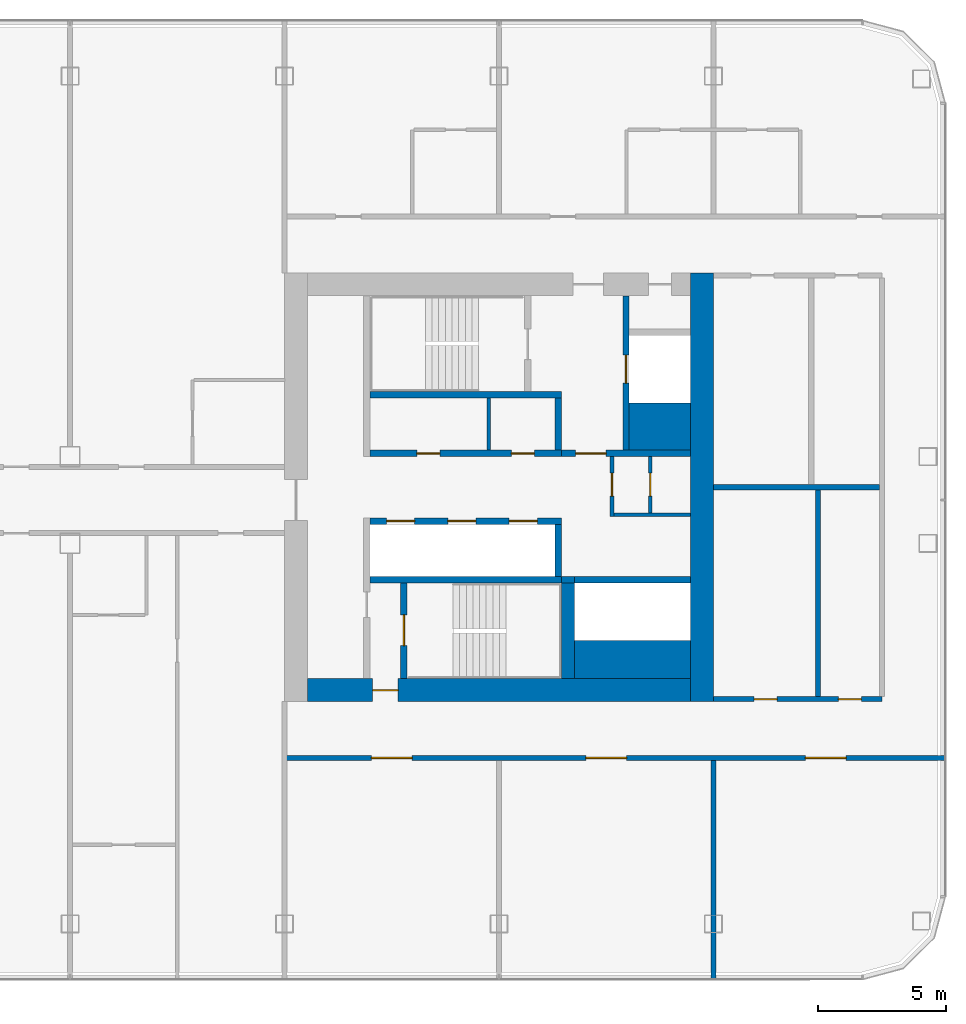
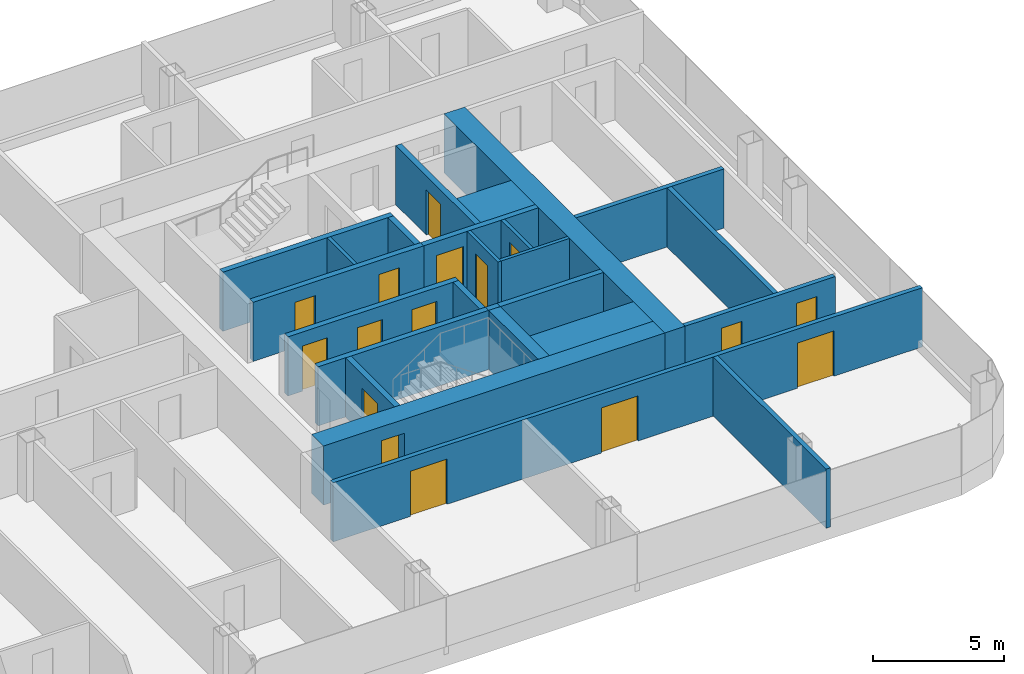
# One storey, part 16 of 26: 25 walls, 16 doors, 16 openings.
"""IFC4 building model written with IfcOpenShell, lengths in metres."""

from ifc_helpers import new_model, si_unit, direction, frame, frame_2d, origin, place, context, subcontext, project, spatial, rectangle, extrude, material, layer, layer_set, type_object, element, fill, save


model = new_model("IFC4")

# Units and contexts
model_context = context("Model", 3, precision=1e-05, world=origin(), true_north=direction((0.0, 1.0)))
body_context = subcontext(model_context, "Body", "Model", "MODEL_VIEW")
ifc_project = project(units=[si_unit("LENGTHUNIT", "METRE"), si_unit("AREAUNIT", "SQUARE_METRE"), si_unit("VOLUMEUNIT", "CUBIC_METRE"), si_unit("PLANEANGLEUNIT", "RADIAN"), si_unit("MASSUNIT", "GRAM", prefix="KILO")], contexts=[model_context])

# Site, building, storey
site_placement = place(None, origin())
site = spatial("IfcSite", under=ifc_project, at=site_placement, CompositionType="ELEMENT")
building_placement = place(site_placement, origin())
building = spatial("IfcBuilding", under=site, at=building_placement, Name="Hakoniwa Tower and Hamabe Station Hall", CompositionType="ELEMENT")
storey_placement = place(building_placement, frame((0.0, 0.0, 159.800048828125)))
storey = spatial("IfcBuildingStorey", under=building, at=storey_placement, Name="L45", CompositionType="ELEMENT", Elevation=159.800048828125)

# Wall, opening, door
ifc_material_1 = material(Name="Gypsum board partition")
ifc_layer_1 = layer(ifc_material_1, 0.14990234375)
ifc_layer_set_1 = layer_set([ifc_layer_1], Name="CORE PARTITION 150 EI 60")
wall_type_1 = type_object("IfcWallType", Name="CORE PARTITION 150 EI 60", PredefinedType="PARTITIONING", material=ifc_layer_set_1)
wall_1_placement = place(storey_placement, frame((29.625, -1.14990234375, 0.0), z_axis=(0.0, 0.0, 1.0), x_axis=(0.0, 1.0, 0.0)))
wall_1 = element("IfcWall", 1, at=wall_1_placement, inside=storey, type_object=wall_type_1, Name="Core partition PW0 east", PredefinedType="PARTITIONING", context=body_context, shape_type="SweptSolid", body=[
    extrude(rectangle(XDim=2.349853515625, YDim=0.14990234375, at=frame_2d((1.1748046875, 0.0))), origin(), (0.0, 0.0, 1.0), 2.75),
])
opening_1_placement = place(wall_1_placement, frame((0.800048828125, 0.0, 0.0)))
opening_1 = element("IfcOpeningElement", 2, at=opening_1_placement, cuts=wall_1, Name="Opening CD-E-RM1-9", PredefinedType="OPENING", context=body_context, shape_type="SweptSolid", body=[
    extrude(rectangle(XDim=0.89990234375, YDim=2.10009765625, at=frame_2d((0.449951171875, 1.050048828125))), frame((0.0, 0.0849609375, 0.0), z_axis=(0.0, -1.0, 0.0), x_axis=(1.0, 0.0, 0.0)), (0.0, 0.0, 1.0), 0.169921875),
])
ifc_material_2 = material(Name="Steel fire door", Category="steel")
door_type_1 = type_object("IfcDoorType", Name="CORE DOOR 900 FD30", OperationType="NOTDEFINED", PredefinedType="DOOR", material=ifc_material_2)
door_1_placement = place(opening_1_placement, origin())
door_1 = element("IfcDoor", 3, at=door_1_placement, inside=storey, type_object=door_type_1, Name="Store room door", OperationType="SINGLE_SWING_RIGHT", OverallHeight=2.10009765625, OverallWidth=0.89990234375, PredefinedType="DOOR", context=body_context, shape_type="SweptSolid", body=[
    extrude(rectangle(XDim=0.89990234375, YDim=2.10009765625, at=frame_2d((0.449951171875, 1.050048828125))), frame((0.0, 0.02490234375, 0.0), z_axis=(0.0, -1.0, 0.0), x_axis=(1.0, 0.0, 0.0)), (0.0, 0.0, 1.0), 0.050048828125),
])
fill(opening_1, door_1)

# Wall
wall_2_placement = place(storey_placement, frame((29.699951171875, -1.074951171875, 0.0), z_axis=(0.0, 0.0, 1.0), x_axis=(1.0, 0.0, 0.0)))
element("IfcWall", 4, at=wall_2_placement, inside=storey, type_object=wall_type_1, Name="Core partition PS east", PredefinedType="PARTITIONING", context=body_context, shape_type="SweptSolid", body=[
    extrude(rectangle(XDim=3.0, YDim=0.14990234375, at=frame_2d((1.5, 0.0))), origin(), (0.0, 0.0, 1.0), 2.75),
])

# Wall, opening, door
wall_3_placement = place(storey_placement, frame((31.125, -1.0, 0.0), z_axis=(0.0, 0.0, 1.0), x_axis=(0.0, 1.0, 0.0)))
wall_3 = element("IfcWall", 5, at=wall_3_placement, inside=storey, type_object=wall_type_1, Name="Core partition PW1 east", PredefinedType="PARTITIONING", context=body_context, shape_type="SweptSolid", body=[
    extrude(rectangle(XDim=2.199951171875, YDim=0.14990234375, at=frame_2d((1.10009765625, 0.0))), origin(), (0.0, 0.0, 1.0), 2.75),
])
opening_2_placement = place(wall_3_placement, frame((0.64990234375, 0.0, 0.0)))
opening_2 = element("IfcOpeningElement", 6, at=opening_2_placement, cuts=wall_3, Name="Opening CD-E-RM2-9", PredefinedType="OPENING", context=body_context, shape_type="SweptSolid", body=[
    extrude(rectangle(XDim=0.89990234375, YDim=2.10009765625, at=frame_2d((0.449951171875, 1.050048828125))), frame((0.0, 0.0849609375, 0.0), z_axis=(0.0, -1.0, 0.0), x_axis=(1.0, 0.0, 0.0)), (0.0, 0.0, 1.0), 0.169921875),
])
door_2_placement = place(opening_2_placement, origin())
door_2 = element("IfcDoor", 7, at=door_2_placement, inside=storey, type_object=door_type_1, Name="Store room door", OperationType="SINGLE_SWING_RIGHT", OverallHeight=2.10009765625, OverallWidth=0.89990234375, PredefinedType="DOOR", context=body_context, shape_type="SweptSolid", body=[
    extrude(rectangle(XDim=0.89990234375, YDim=2.10009765625, at=frame_2d((0.449951171875, 1.050048828125))), frame((0.0, 0.02490234375, 0.0), z_axis=(0.0, -1.0, 0.0), x_axis=(1.0, 0.0, 0.0)), (0.0, 0.0, 1.0), 0.050048828125),
])
fill(opening_2, door_2)

# Walls
wall_4_placement = place(storey_placement, frame((24.800048828125, 1.449951171875, 0.0), z_axis=(0.0, 0.0, 1.0), x_axis=(0.0, 1.0, 0.0)))
element("IfcWall", 8, at=wall_4_placement, inside=storey, type_object=wall_type_1, Name="Core partition PFLR0 east", PredefinedType="PARTITIONING", context=body_context, shape_type="SweptSolid", body=[
    extrude(rectangle(XDim=2.050048828125, YDim=0.14990234375, at=frame_2d((1.02490234375, 0.0))), origin(), (0.0, 0.0, 1.0), 2.75),
])
ifc_material_3 = material(Name="Concrete C66", Category="concrete")
ifc_layer_2 = layer(ifc_material_3, 0.89990234375)
ifc_layer_set_2 = layer_set([ifc_layer_2], Name="CORE WALL 900 C66")
wall_type_2 = type_object("IfcWallType", Name="CORE WALL 900 C66", PredefinedType="SHEAR", material=ifc_layer_set_2)
wall_5_placement = place(storey_placement, frame((33.14990234375, -8.39990234375, 0.0), z_axis=(0.0, 0.0, 1.0), x_axis=(0.0, 1.0, 0.0)))
element("IfcWall", 9, at=wall_5_placement, inside=storey, type_object=wall_type_2, Name="Core wall OUTER east", PredefinedType="SHEAR", context=body_context, shape_type="SweptSolid", body=[
    extrude(rectangle(XDim=16.7998046875, YDim=0.89990234375, at=frame_2d((8.39990234375, 0.0))), origin(), (0.0, 0.0, 1.0), 2.75),
])

# Wall, opening, door
wall_6_placement = place(storey_placement, frame((17.699951171875, -7.949951171875, 0.0), z_axis=(0.0, 0.0, 1.0), x_axis=(1.0, 0.0, 0.0)))
wall_6 = element("IfcWall", 10, at=wall_6_placement, inside=storey, type_object=wall_type_2, Name="Core wall SOUTH east", PredefinedType="SHEAR", context=body_context, shape_type="SweptSolid", body=[
    extrude(rectangle(XDim=15.0, YDim=0.89990234375, at=frame_2d((7.5, 0.0))), origin(), (0.0, 0.0, 1.0), 2.75),
])
opening_3_placement = place(wall_6_placement, frame((2.550048828125, 0.0, 0.0)))
opening_3 = element("IfcOpeningElement", 11, at=opening_3_placement, cuts=wall_6, Name="Opening CD-E-FS3-10", PredefinedType="OPENING", context=body_context, shape_type="SweptSolid", body=[
    extrude(rectangle(XDim=1.0, YDim=2.10009765625, at=frame_2d((0.5, 1.050048828125))), frame((0.0, 0.4599609375, 0.0), z_axis=(0.0, -1.0, 0.0), x_axis=(1.0, 0.0, 0.0)), (0.0, 0.0, 1.0), 0.919921875),
])
ifc_material_4 = material(Name="Steel fire door", Category="steel")
door_type_2 = type_object("IfcDoorType", Name="CORE DOOR 1000 FD60", OperationType="NOTDEFINED", PredefinedType="DOOR", material=ifc_material_4)
door_3_placement = place(opening_3_placement, origin())
door_3 = element("IfcDoor", 12, at=door_3_placement, inside=storey, type_object=door_type_2, Name="Stair vestibule door", OperationType="SINGLE_SWING_RIGHT", OverallHeight=2.10009765625, OverallWidth=1.0, PredefinedType="DOOR", context=body_context, shape_type="SweptSolid", body=[
    extrude(rectangle(XDim=1.0, YDim=2.10009765625, at=frame_2d((0.5, 1.050048828125))), frame((0.0, 0.02490234375, 0.0), z_axis=(0.0, -1.0, 0.0), x_axis=(1.0, 0.0, 0.0)), (0.0, 0.0, 1.0), 0.050048828125),
])
fill(opening_3, door_3)

# Walls
ifc_material_5 = material(Name="Concrete C66", Category="concrete")
ifc_layer_3 = layer(ifc_material_5, 1.5)
ifc_layer_set_3 = layer_set([ifc_layer_3], Name="CORE WEB WALL 1500 C66")
wall_type_3 = type_object("IfcWallType", Name="CORE WEB WALL 1500 C66", PredefinedType="SHEAR", material=ifc_layer_set_3)
wall_7_placement = place(storey_placement, frame((28.14990234375, -6.75, 0.0), z_axis=(0.0, 0.0, 1.0), x_axis=(1.0, 0.0, 0.0)))
element("IfcWall", 13, at=wall_7_placement, inside=storey, type_object=wall_type_3, Name="Core wall SER east", PredefinedType="SHEAR", context=body_context, shape_type="SweptSolid", body=[
    extrude(rectangle(XDim=4.550048828125, YDim=1.5, at=frame_2d((2.27490234375, 0.0))), origin(), (0.0, 0.0, 1.0), 2.75),
])
ifc_material_6 = material(Name="Concrete C66", Category="concrete")
ifc_layer_4 = layer(ifc_material_6, 1.85009765625)
ifc_layer_set_4 = layer_set([ifc_layer_4], Name="CORE WEB WALL 1850 C66")
wall_type_4 = type_object("IfcWallType", Name="CORE WEB WALL 1850 C66", PredefinedType="SHEAR", material=ifc_layer_set_4)
wall_8_placement = place(storey_placement, frame((30.300048828125, 2.375, 0.0), z_axis=(0.0, 0.0, 1.0), x_axis=(1.0, 0.0, 0.0)))
element("IfcWall", 14, at=wall_8_placement, inside=storey, type_object=wall_type_4, Name="Core wall CA east", PredefinedType="SHEAR", context=body_context, shape_type="SweptSolid", body=[
    extrude(rectangle(XDim=2.39990234375, YDim=1.85009765625, at=frame_2d((1.199951171875, 0.0))), origin(), (0.0, 0.0, 1.0), 2.75),
])

# Wall, openings, doors
ifc_material_7 = material(Name="Concrete C66", Category="concrete")
ifc_layer_5 = layer(ifc_material_7, 0.25)
ifc_layer_set_5 = layer_set([ifc_layer_5], Name="CORE WEB WALL 250 C66")
wall_type_5 = type_object("IfcWallType", Name="CORE WEB WALL 250 C66", PredefinedType="SHEAR", material=ifc_layer_set_5)
wall_9_placement = place(storey_placement, frame((20.14990234375, 1.324951171875, 0.0), z_axis=(0.0, 0.0, 1.0), x_axis=(1.0, 0.0, 0.0)))
wall_9 = element("IfcWall", 15, at=wall_9_placement, inside=storey, type_object=wall_type_5, Name="Core wall NF east", PredefinedType="SHEAR", context=body_context, shape_type="SweptSolid", body=[
    extrude(rectangle(XDim=7.5, YDim=0.25, at=frame_2d((3.75, 0.0))), origin(), (0.0, 0.0, 1.0), 2.75),
])
opening_4_placement = place(wall_9_placement, frame((1.83740234375, 0.0, 0.0)))
opening_4 = element("IfcOpeningElement", 16, at=opening_4_placement, cuts=wall_9, Name="Opening CD-E-FRLR0-9", PredefinedType="OPENING", context=body_context, shape_type="SweptSolid", body=[
    extrude(rectangle(XDim=0.89990234375, YDim=2.10009765625, at=frame_2d((0.449951171875, 1.050048828125))), frame((0.0, 0.135009765625, 0.0), z_axis=(0.0, -1.0, 0.0), x_axis=(1.0, 0.0, 0.0)), (0.0, 0.0, 1.0), 0.27001953125),
])
opening_5_placement = place(wall_9_placement, frame((5.53759765625, 0.0, 0.0)))
opening_5 = element("IfcOpeningElement", 17, at=opening_5_placement, cuts=wall_9, Name="Opening CD-E-FRLR1-9", PredefinedType="OPENING", context=body_context, shape_type="SweptSolid", body=[
    extrude(rectangle(XDim=0.89990234375, YDim=2.10009765625, at=frame_2d((0.449951171875, 1.050048828125))), frame((0.0, 0.135009765625, 0.0), z_axis=(0.0, -1.0, 0.0), x_axis=(1.0, 0.0, 0.0)), (0.0, 0.0, 1.0), 0.27001953125),
])
door_4_placement = place(opening_4_placement, origin())
door_4 = element("IfcDoor", 18, at=door_4_placement, inside=storey, type_object=door_type_1, Name="Store room door", OperationType="SINGLE_SWING_RIGHT", OverallHeight=2.10009765625, OverallWidth=0.89990234375, PredefinedType="DOOR", context=body_context, shape_type="SweptSolid", body=[
    extrude(rectangle(XDim=0.89990234375, YDim=2.10009765625, at=frame_2d((0.449951171875, 1.050048828125))), frame((0.0, 0.02490234375, 0.0), z_axis=(0.0, -1.0, 0.0), x_axis=(1.0, 0.0, 0.0)), (0.0, 0.0, 1.0), 0.050048828125),
])
fill(opening_4, door_4)
door_5_placement = place(opening_5_placement, origin())
door_5 = element("IfcDoor", 19, at=door_5_placement, inside=storey, type_object=door_type_1, Name="Store room door", OperationType="SINGLE_SWING_LEFT", OverallHeight=2.10009765625, OverallWidth=0.89990234375, PredefinedType="DOOR", context=body_context, shape_type="SweptSolid", body=[
    extrude(rectangle(XDim=0.89990234375, YDim=2.10009765625, at=frame_2d((0.449951171875, 1.050048828125))), frame((0.0, 0.02490234375, 0.0), z_axis=(0.0, -1.0, 0.0), x_axis=(1.0, 0.0, 0.0)), (0.0, 0.0, 1.0), 0.050048828125),
])
fill(opening_5, door_5)

# Walls
wall_10_placement = place(storey_placement, frame((27.52490234375, 1.449951171875, 0.0), z_axis=(0.0, 0.0, 1.0), x_axis=(0.0, 1.0, 0.0)))
element("IfcWall", 20, at=wall_10_placement, inside=storey, type_object=wall_type_5, Name="Core wall NE east", PredefinedType="SHEAR", context=body_context, shape_type="SweptSolid", body=[
    extrude(rectangle(XDim=2.050048828125, YDim=0.25, at=frame_2d((1.02490234375, 0.0))), origin(), (0.0, 0.0, 1.0), 2.75),
])
wall_11_placement = place(storey_placement, frame((20.14990234375, 3.625, 0.0), z_axis=(0.0, 0.0, 1.0), x_axis=(1.0, 0.0, 0.0)))
element("IfcWall", 21, at=wall_11_placement, inside=storey, type_object=wall_type_5, Name="Core wall NR east", PredefinedType="SHEAR", context=body_context, shape_type="SweptSolid", body=[
    extrude(rectangle(XDim=7.5, YDim=0.25, at=frame_2d((3.75, 0.0))), origin(), (0.0, 0.0, 1.0), 2.75),
])

# Wall, opening, door
wall_12_placement = place(storey_placement, frame((27.64990234375, 1.324951171875, 0.0), z_axis=(0.0, 0.0, 1.0), x_axis=(1.0, 0.0, 0.0)))
wall_12 = element("IfcWall", 22, at=wall_12_placement, inside=storey, type_object=wall_type_5, Name="Core wall ELN east", PredefinedType="SHEAR", context=body_context, shape_type="SweptSolid", body=[
    extrude(rectangle(XDim=5.050048828125, YDim=0.25, at=frame_2d((2.52490234375, 0.0))), origin(), (0.0, 0.0, 1.0), 2.75),
])
opening_6_placement = place(wall_12_placement, frame((0.550048828125, 0.0, 0.0)))
opening_6 = element("IfcOpeningElement", 23, at=opening_6_placement, cuts=wall_12, Name="Opening CD-E-FL-12", PredefinedType="OPENING", context=body_context, shape_type="SweptSolid", body=[
    extrude(rectangle(XDim=1.199951171875, YDim=2.10009765625, at=frame_2d((0.60009765625, 1.050048828125))), frame((0.0, 0.135009765625, 0.0), z_axis=(0.0, -1.0, 0.0), x_axis=(1.0, 0.0, 0.0)), (0.0, 0.0, 1.0), 0.27001953125),
])
ifc_material_8 = material(Name="Steel fire door", Category="steel")
door_type_3 = type_object("IfcDoorType", Name="CORE DOOR 1200 FD60", OperationType="DOUBLE_DOOR_SINGLE_SWING", PredefinedType="DOOR", material=ifc_material_8)
door_6_placement = place(opening_6_placement, origin())
door_6 = element("IfcDoor", 24, at=door_6_placement, inside=storey, type_object=door_type_3, Name="Stair vestibule door to the fire-fighting lobby", OperationType="DOUBLE_DOOR_SINGLE_SWING", OverallHeight=2.10009765625, OverallWidth=1.199951171875, PredefinedType="DOOR", context=body_context, shape_type="SweptSolid", body=[
    extrude(rectangle(XDim=1.199951171875, YDim=2.10009765625, at=frame_2d((0.60009765625, 1.050048828125))), frame((0.0, 0.02490234375, 0.0), z_axis=(0.0, -1.0, 0.0), x_axis=(1.0, 0.0, 0.0)), (0.0, 0.0, 1.0), 0.050048828125),
])
fill(opening_6, door_6)

wall_13_placement = place(storey_placement, frame((30.175048828125, 1.449951171875, 0.0), z_axis=(0.0, 0.0, 1.0), x_axis=(0.0, 1.0, 0.0)))
wall_13 = element("IfcWall", 25, at=wall_13_placement, inside=storey, type_object=wall_type_5, Name="Core wall FFF east", PredefinedType="SHEAR", context=body_context, shape_type="SweptSolid", body=[
    extrude(rectangle(XDim=6.050048828125, YDim=0.25, at=frame_2d((3.02490234375, 0.0))), origin(), (0.0, 0.0, 1.0), 2.75),
])
opening_7_placement = place(wall_13_placement, frame((2.625, 0.0, 0.0)))
opening_7 = element("IfcOpeningElement", 26, at=opening_7_placement, cuts=wall_13, Name="Opening LD-FF2", PredefinedType="OPENING", context=body_context, shape_type="SweptSolid", body=[
    extrude(rectangle(XDim=1.10009765625, YDim=2.10009765625, at=frame_2d((0.550048828125, 1.050048828125))), frame((0.0, 0.135009765625, 0.0), z_axis=(0.0, -1.0, 0.0), x_axis=(1.0, 0.0, 0.0)), (0.0, 0.0, 1.0), 0.27001953125),
])
ifc_material_9 = material(Name="Stainless steel SUS304", Category="steel")
door_type_4 = type_object("IfcDoorType", Name="LIFT LANDING DOOR 1100 FD60", OperationType="DOUBLE_DOOR_SLIDING", PredefinedType="DOOR", material=ifc_material_9)
door_7_placement = place(opening_7_placement, origin())
door_7 = element("IfcDoor", 27, at=door_7_placement, inside=storey, type_object=door_type_4, Name="Lift landing door FF2 L45", OperationType="DOUBLE_DOOR_SLIDING", OverallHeight=2.10009765625, OverallWidth=1.10009765625, PredefinedType="DOOR", context=body_context, shape_type="SweptSolid", body=[
    extrude(rectangle(XDim=1.10009765625, YDim=2.10009765625, at=frame_2d((0.550048828125, 1.050048828125))), frame((0.0, 0.02490234375, 0.0), z_axis=(0.0, -1.0, 0.0), x_axis=(1.0, 0.0, 0.0)), (0.0, 0.0, 1.0), 0.050048828125),
])
fill(opening_7, door_7)

# Wall, openings, doors
wall_14_placement = place(storey_placement, frame((20.14990234375, -1.324951171875, 0.0), z_axis=(0.0, 0.0, 1.0), x_axis=(1.0, 0.0, 0.0)))
wall_14 = element("IfcWall", 28, at=wall_14_placement, inside=storey, type_object=wall_type_5, Name="Core wall SF east", PredefinedType="SHEAR", context=body_context, shape_type="SweptSolid", body=[
    extrude(rectangle(XDim=7.5, YDim=0.25, at=frame_2d((3.75, 0.0))), origin(), (0.0, 0.0, 1.0), 2.75),
])
opening_8_placement = place(wall_14_placement, frame((0.64990234375, 0.0, 0.0)))
opening_8 = element("IfcOpeningElement", 29, at=opening_8_placement, cuts=wall_14, Name="Opening LD-HR4", PredefinedType="OPENING", context=body_context, shape_type="SweptSolid", body=[
    extrude(rectangle(XDim=1.10009765625, YDim=2.10009765625, at=frame_2d((0.550048828125, 1.050048828125))), frame((0.0, 0.135009765625, 0.0), z_axis=(0.0, -1.0, 0.0), x_axis=(1.0, 0.0, 0.0)), (0.0, 0.0, 1.0), 0.27001953125),
])
opening_9_placement = place(wall_14_placement, frame((3.050048828125, 0.0, 0.0)))
opening_9 = element("IfcOpeningElement", 30, at=opening_9_placement, cuts=wall_14, Name="Opening LD-HR5", PredefinedType="OPENING", context=body_context, shape_type="SweptSolid", body=[
    extrude(rectangle(XDim=1.10009765625, YDim=2.10009765625, at=frame_2d((0.550048828125, 1.050048828125))), frame((0.0, 0.135009765625, 0.0), z_axis=(0.0, -1.0, 0.0), x_axis=(1.0, 0.0, 0.0)), (0.0, 0.0, 1.0), 0.27001953125),
])
opening_10_placement = place(wall_14_placement, frame((5.449951171875, 0.0, 0.0)))
opening_10 = element("IfcOpeningElement", 31, at=opening_10_placement, cuts=wall_14, Name="Opening LD-HR6", PredefinedType="OPENING", context=body_context, shape_type="SweptSolid", body=[
    extrude(rectangle(XDim=1.10009765625, YDim=2.10009765625, at=frame_2d((0.550048828125, 1.050048828125))), frame((0.0, 0.135009765625, 0.0), z_axis=(0.0, -1.0, 0.0), x_axis=(1.0, 0.0, 0.0)), (0.0, 0.0, 1.0), 0.27001953125),
])
door_8_placement = place(opening_8_placement, origin())
door_8 = element("IfcDoor", 32, at=door_8_placement, inside=storey, type_object=door_type_4, Name="Lift landing door HR4 L45", OperationType="DOUBLE_DOOR_SLIDING", OverallHeight=2.10009765625, OverallWidth=1.10009765625, PredefinedType="DOOR", context=body_context, shape_type="SweptSolid", body=[
    extrude(rectangle(XDim=1.10009765625, YDim=2.10009765625, at=frame_2d((0.550048828125, 1.050048828125))), frame((0.0, 0.02490234375, 0.0), z_axis=(0.0, -1.0, 0.0), x_axis=(1.0, 0.0, 0.0)), (0.0, 0.0, 1.0), 0.050048828125),
])
fill(opening_8, door_8)
door_9_placement = place(opening_9_placement, origin())
door_9 = element("IfcDoor", 33, at=door_9_placement, inside=storey, type_object=door_type_4, Name="Lift landing door HR5 L45", OperationType="DOUBLE_DOOR_SLIDING", OverallHeight=2.10009765625, OverallWidth=1.10009765625, PredefinedType="DOOR", context=body_context, shape_type="SweptSolid", body=[
    extrude(rectangle(XDim=1.10009765625, YDim=2.10009765625, at=frame_2d((0.550048828125, 1.050048828125))), frame((0.0, 0.02490234375, 0.0), z_axis=(0.0, -1.0, 0.0), x_axis=(1.0, 0.0, 0.0)), (0.0, 0.0, 1.0), 0.050048828125),
])
fill(opening_9, door_9)
door_10_placement = place(opening_10_placement, origin())
door_10 = element("IfcDoor", 34, at=door_10_placement, inside=storey, type_object=door_type_4, Name="Lift landing door HR6 L45", OperationType="DOUBLE_DOOR_SLIDING", OverallHeight=2.10009765625, OverallWidth=1.10009765625, PredefinedType="DOOR", context=body_context, shape_type="SweptSolid", body=[
    extrude(rectangle(XDim=1.10009765625, YDim=2.10009765625, at=frame_2d((0.550048828125, 1.050048828125))), frame((0.0, 0.02490234375, 0.0), z_axis=(0.0, -1.0, 0.0), x_axis=(1.0, 0.0, 0.0)), (0.0, 0.0, 1.0), 0.050048828125),
])
fill(opening_10, door_10)

# Walls
wall_15_placement = place(storey_placement, frame((27.52490234375, -3.5, 0.0), z_axis=(0.0, 0.0, 1.0), x_axis=(0.0, 1.0, 0.0)))
element("IfcWall", 35, at=wall_15_placement, inside=storey, type_object=wall_type_5, Name="Core wall SE east", PredefinedType="SHEAR", context=body_context, shape_type="SweptSolid", body=[
    extrude(rectangle(XDim=2.050048828125, YDim=0.25, at=frame_2d((1.02490234375, 0.0))), origin(), (0.0, 0.0, 1.0), 2.75),
])
wall_16_placement = place(storey_placement, frame((20.14990234375, -3.625, 0.0), z_axis=(0.0, 0.0, 1.0), x_axis=(1.0, 0.0, 0.0)))
element("IfcWall", 36, at=wall_16_placement, inside=storey, type_object=wall_type_5, Name="Core wall SR east", PredefinedType="SHEAR", context=body_context, shape_type="SweptSolid", body=[
    extrude(rectangle(XDim=7.5, YDim=0.25, at=frame_2d((3.75, 0.0))), origin(), (0.0, 0.0, 1.0), 2.75),
])

# Wall, opening, door
wall_17_placement = place(storey_placement, frame((21.47509765625, -7.5, 0.0), z_axis=(0.0, 0.0, 1.0), x_axis=(0.0, 1.0, 0.0)))
wall_17 = element("IfcWall", 37, at=wall_17_placement, inside=storey, type_object=wall_type_5, Name="Core wall VE east", PredefinedType="SHEAR", context=body_context, shape_type="SweptSolid", body=[
    extrude(rectangle(XDim=3.75, YDim=0.25, at=frame_2d((1.875, 0.0))), origin(), (0.0, 0.0, 1.0), 2.75),
])
opening_11_placement = place(wall_17_placement, frame((1.300048828125, 0.0, 0.0)))
opening_11 = element("IfcOpeningElement", 38, at=opening_11_placement, cuts=wall_17, Name="Opening CD-E-SS-12", PredefinedType="OPENING", context=body_context, shape_type="SweptSolid", body=[
    extrude(rectangle(XDim=1.199951171875, YDim=2.10009765625, at=frame_2d((0.60009765625, 1.050048828125))), frame((0.0, 0.135009765625, 0.0), z_axis=(0.0, -1.0, 0.0), x_axis=(1.0, 0.0, 0.0)), (0.0, 0.0, 1.0), 0.27001953125),
])
door_11_placement = place(opening_11_placement, origin())
door_11 = element("IfcDoor", 39, at=door_11_placement, inside=storey, type_object=door_type_3, Name="Escape stair door", OperationType="DOUBLE_DOOR_SINGLE_SWING", OverallHeight=2.10009765625, OverallWidth=1.199951171875, PredefinedType="DOOR", context=body_context, shape_type="SweptSolid", body=[
    extrude(rectangle(XDim=1.199951171875, YDim=2.10009765625, at=frame_2d((0.60009765625, 1.050048828125))), frame((0.0, 0.02490234375, 0.0), z_axis=(0.0, -1.0, 0.0), x_axis=(1.0, 0.0, 0.0)), (0.0, 0.0, 1.0), 0.050048828125),
])
fill(opening_11, door_11)

# Walls
wall_18_placement = place(storey_placement, frame((28.14990234375, -3.625, 0.0), z_axis=(0.0, 0.0, 1.0), x_axis=(1.0, 0.0, 0.0)))
element("IfcWall", 40, at=wall_18_placement, inside=storey, type_object=wall_type_5, Name="Core wall SEF east", PredefinedType="SHEAR", context=body_context, shape_type="SweptSolid", body=[
    extrude(rectangle(XDim=4.550048828125, YDim=0.25, at=frame_2d((2.27490234375, 0.0))), origin(), (0.0, 0.0, 1.0), 2.75),
])
wall_19_placement = place(storey_placement, frame((27.64990234375, -3.625, 0.0), z_axis=(0.0, 0.0, 1.0), x_axis=(1.0, 0.0, 0.0)))
element("IfcWall", 41, at=wall_19_placement, inside=storey, type_object=wall_type_5, Name="Core wall SRK east", PredefinedType="SHEAR", context=body_context, shape_type="SweptSolid", body=[
    extrude(rectangle(XDim=0.5, YDim=0.25, at=frame_2d((0.25, 0.0))), origin(), (0.0, 0.0, 1.0), 2.75),
])
ifc_material_10 = material(Name="Concrete C66", Category="concrete")
ifc_layer_6 = layer(ifc_material_10, 0.5)
ifc_layer_set_6 = layer_set([ifc_layer_6], Name="CORE WEB WALL 500 C66")
wall_type_6 = type_object("IfcWallType", Name="CORE WEB WALL 500 C66", PredefinedType="SHEAR", material=ifc_layer_set_6)
wall_20_placement = place(storey_placement, frame((27.89990234375, -7.5, 0.0), z_axis=(0.0, 0.0, 1.0), x_axis=(0.0, 1.0, 0.0)))
element("IfcWall", 42, at=wall_20_placement, inside=storey, type_object=wall_type_6, Name="Core wall SSE east", PredefinedType="SHEAR", context=body_context, shape_type="SweptSolid", body=[
    extrude(rectangle(XDim=3.75, YDim=0.5, at=frame_2d((1.875, 0.0))), origin(), (0.0, 0.0, 1.0), 2.75),
])

# Wall, openings, doors
ifc_material_11 = material(Name="Fire-rated gypsum board partition", Category="gypsum")
ifc_layer_7 = layer(ifc_material_11, 0.199951171875)
ifc_layer_set_7 = layer_set([ifc_layer_7], Name="Corridor Wall 200")
wall_type_7 = type_object("IfcWallType", Name="Corridor Wall 200", PredefinedType="PARTITIONING", material=ifc_layer_set_7)
wall_21_placement = place(storey_placement, frame((16.800048828125, -10.60009765625, 0.0), z_axis=(0.0, 0.0, 1.0), x_axis=(1.0, 0.0, 0.0)))
wall_21 = element("IfcWall", 43, at=wall_21_placement, inside=storey, type_object=wall_type_7, Name="GW-L45-005", PredefinedType="PARTITIONING", context=body_context, shape_type="SweptSolid", body=[
    extrude(rectangle(XDim=25.89990234375, YDim=0.199951171875, at=frame_2d((12.949951171875, 0.0))), origin(), (0.0, 0.0, 1.0), 2.75),
])
opening_12_placement = place(wall_21_placement, frame((3.39990234375, 0.0, 0.0)))
opening_12 = element("IfcOpeningElement", 44, at=opening_12_placement, cuts=wall_21, Name="Opening GD-G3E1-10", PredefinedType="OPENING", context=body_context, shape_type="SweptSolid", body=[
    extrude(rectangle(XDim=1.60009765625, YDim=2.10009765625, at=frame_2d((0.800048828125, 1.050048828125))), frame((0.0, 0.10986328125, 0.0), z_axis=(0.0, -1.0, 0.0), x_axis=(1.0, 0.0, 0.0)), (0.0, 0.0, 1.0), 0.219970703125),
])
opening_13_placement = place(wall_21_placement, frame((11.800048828125, 0.0, 0.0)))
opening_13 = element("IfcOpeningElement", 45, at=opening_13_placement, cuts=wall_21, Name="Opening GD-G3E1-11", PredefinedType="OPENING", context=body_context, shape_type="SweptSolid", body=[
    extrude(rectangle(XDim=1.60009765625, YDim=2.10009765625, at=frame_2d((0.800048828125, 1.050048828125))), frame((0.0, 0.10986328125, 0.0), z_axis=(0.0, -1.0, 0.0), x_axis=(1.0, 0.0, 0.0)), (0.0, 0.0, 1.0), 0.219970703125),
])
opening_14_placement = place(wall_21_placement, frame((20.39990234375, 0.0, 0.0)))
opening_14 = element("IfcOpeningElement", 46, at=opening_14_placement, cuts=wall_21, Name="Opening GD-G3E1-12", PredefinedType="OPENING", context=body_context, shape_type="SweptSolid", body=[
    extrude(rectangle(XDim=1.60009765625, YDim=2.10009765625, at=frame_2d((0.800048828125, 1.050048828125))), frame((0.0, 0.10986328125, 0.0), z_axis=(0.0, -1.0, 0.0), x_axis=(1.0, 0.0, 0.0)), (0.0, 0.0, 1.0), 0.219970703125),
])
ifc_material_12 = material(Name="Timber door leaf", Category="wood")
door_type_5 = type_object("IfcDoorType", Name="Double Door 1600", OperationType="DOUBLE_DOOR_SINGLE_SWING", PredefinedType="DOOR", material=ifc_material_12)
door_12_placement = place(opening_12_placement, origin())
door_12 = element("IfcDoor", 47, at=door_12_placement, inside=storey, type_object=door_type_5, Name="Door GD-G3E1-10", OperationType="DOUBLE_DOOR_SINGLE_SWING", OverallHeight=2.10009765625, OverallWidth=1.60009765625, PredefinedType="DOOR", context=body_context, shape_type="SweptSolid", body=[
    extrude(rectangle(XDim=1.60009765625, YDim=2.10009765625, at=frame_2d((0.800048828125, 1.050048828125))), frame((0.0, 0.02490234375, 0.0), z_axis=(0.0, -1.0, 0.0), x_axis=(1.0, 0.0, 0.0)), (0.0, 0.0, 1.0), 0.050048828125),
])
fill(opening_12, door_12)
door_13_placement = place(opening_13_placement, origin())
door_13 = element("IfcDoor", 48, at=door_13_placement, inside=storey, type_object=door_type_5, Name="Door GD-G3E1-11", OperationType="DOUBLE_DOOR_SINGLE_SWING", OverallHeight=2.10009765625, OverallWidth=1.60009765625, PredefinedType="DOOR", context=body_context, shape_type="SweptSolid", body=[
    extrude(rectangle(XDim=1.60009765625, YDim=2.10009765625, at=frame_2d((0.800048828125, 1.050048828125))), frame((0.0, 0.02490234375, 0.0), z_axis=(0.0, -1.0, 0.0), x_axis=(1.0, 0.0, 0.0)), (0.0, 0.0, 1.0), 0.050048828125),
])
fill(opening_13, door_13)
door_14_placement = place(opening_14_placement, origin())
door_14 = element("IfcDoor", 49, at=door_14_placement, inside=storey, type_object=door_type_5, Name="Door GD-G3E1-12", OperationType="DOUBLE_DOOR_SINGLE_SWING", OverallHeight=2.10009765625, OverallWidth=1.60009765625, PredefinedType="DOOR", context=body_context, shape_type="SweptSolid", body=[
    extrude(rectangle(XDim=1.60009765625, YDim=2.10009765625, at=frame_2d((0.800048828125, 1.050048828125))), frame((0.0, 0.02490234375, 0.0), z_axis=(0.0, -1.0, 0.0), x_axis=(1.0, 0.0, 0.0)), (0.0, 0.0, 1.0), 0.050048828125),
])
fill(opening_14, door_14)

wall_22_placement = place(storey_placement, frame((33.60009765625, -8.300048828125, 0.0), z_axis=(0.0, 0.0, 1.0), x_axis=(1.0, 0.0, 0.0)))
wall_22 = element("IfcWall", 50, at=wall_22_placement, inside=storey, type_object=wall_type_7, Name="GW-L45-007", PredefinedType="PARTITIONING", context=body_context, shape_type="SweptSolid", body=[
    extrude(rectangle(XDim=6.599853515625, YDim=0.199951171875, at=frame_2d((3.2998046875, 0.0))), origin(), (0.0, 0.0, 1.0), 2.75),
])
opening_15_placement = place(wall_22_placement, frame((1.594970703125, 0.0, 0.0)))
opening_15 = element("IfcOpeningElement", 51, at=opening_15_placement, cuts=wall_22, Name="Opening GD-G3E1-15", PredefinedType="OPENING", context=body_context, shape_type="SweptSolid", body=[
    extrude(rectangle(XDim=0.89990234375, YDim=2.10009765625, at=frame_2d((0.449951171875, 1.050048828125))), frame((0.0, 0.10986328125, 0.0), z_axis=(0.0, -1.0, 0.0), x_axis=(1.0, 0.0, 0.0)), (0.0, 0.0, 1.0), 0.219970703125),
])
opening_16_placement = place(wall_22_placement, frame((4.89501953125, 0.0, 0.0)))
opening_16 = element("IfcOpeningElement", 52, at=opening_16_placement, cuts=wall_22, Name="Opening GD-G3E1-16", PredefinedType="OPENING", context=body_context, shape_type="SweptSolid", body=[
    extrude(rectangle(XDim=0.89990234375, YDim=2.10009765625, at=frame_2d((0.449951171875, 1.050048828125))), frame((0.0, 0.10986328125, 0.0), z_axis=(0.0, -1.0, 0.0), x_axis=(1.0, 0.0, 0.0)), (0.0, 0.0, 1.0), 0.219970703125),
])
ifc_material_13 = material(Name="Timber door leaf", Category="wood")
door_type_6 = type_object("IfcDoorType", Name="Service Door 900", OperationType="SINGLE_SWING_LEFT", PredefinedType="DOOR", material=ifc_material_13)
door_15_placement = place(opening_15_placement, origin())
door_15 = element("IfcDoor", 53, at=door_15_placement, inside=storey, type_object=door_type_6, Name="Door GD-G3E1-15", OperationType="SINGLE_SWING_LEFT", OverallHeight=2.10009765625, OverallWidth=0.89990234375, PredefinedType="DOOR", context=body_context, shape_type="SweptSolid", body=[
    extrude(rectangle(XDim=0.89990234375, YDim=2.10009765625, at=frame_2d((0.449951171875, 1.050048828125))), frame((0.0, 0.02490234375, 0.0), z_axis=(0.0, -1.0, 0.0), x_axis=(1.0, 0.0, 0.0)), (0.0, 0.0, 1.0), 0.050048828125),
])
fill(opening_15, door_15)
door_16_placement = place(opening_16_placement, origin())
door_16 = element("IfcDoor", 54, at=door_16_placement, inside=storey, type_object=door_type_6, Name="Door GD-G3E1-16", OperationType="SINGLE_SWING_LEFT", OverallHeight=2.10009765625, OverallWidth=0.89990234375, PredefinedType="DOOR", context=body_context, shape_type="SweptSolid", body=[
    extrude(rectangle(XDim=0.89990234375, YDim=2.10009765625, at=frame_2d((0.449951171875, 1.050048828125))), frame((0.0, 0.02490234375, 0.0), z_axis=(0.0, -1.0, 0.0), x_axis=(1.0, 0.0, 0.0)), (0.0, 0.0, 1.0), 0.050048828125),
])
fill(opening_16, door_16)

# Walls
ifc_material_14 = material(Name="Fire-rated gypsum board partition", Category="gypsum")
ifc_layer_8 = layer(ifc_material_14, 0.199951171875)
ifc_layer_set_8 = layer_set([ifc_layer_8], Name="Party Wall 200")
wall_type_8 = type_object("IfcWallType", Name="Party Wall 200", PredefinedType="PARTITIONING", material=ifc_layer_set_8)
wall_23_placement = place(storey_placement, frame((33.60009765625, 0.0, 0.0), z_axis=(0.0, 0.0, 1.0), x_axis=(1.0, 0.0, 0.0)))
element("IfcWall", 55, at=wall_23_placement, inside=storey, type_object=wall_type_8, Name="GW-L45-013", PredefinedType="PARTITIONING", context=body_context, shape_type="SweptSolid", body=[
    extrude(rectangle(XDim=6.5, YDim=0.199951171875, at=frame_2d((3.25, 0.0))), origin(), (0.0, 0.0, 1.0), 2.75),
])
wall_24_placement = place(storey_placement, frame((33.60009765625, -19.300048828125, 0.0), z_axis=(0.0, 0.0, 1.0), x_axis=(0.0, 1.0, 0.0)))
element("IfcWall", 56, at=wall_24_placement, inside=storey, type_object=wall_type_8, Name="GW-L45-066", PredefinedType="PARTITIONING", context=body_context, shape_type="SweptSolid", body=[
    extrude(rectangle(XDim=8.60009765625, YDim=0.199951171875, at=frame_2d((4.300048828125, 0.0))), origin(), (0.0, 0.0, 1.0), 2.75),
])
wall_25_placement = place(storey_placement, frame((37.68994140625, -8.199951171875, 0.0), z_axis=(0.0, 0.0, 1.0), x_axis=(0.0, 1.0, 0.0)))
element("IfcWall", 57, at=wall_25_placement, inside=storey, type_object=wall_type_8, Name="GW-L45-070", PredefinedType="PARTITIONING", context=body_context, shape_type="SweptSolid", body=[
    extrude(rectangle(XDim=8.199951171875, YDim=0.199951171875, at=frame_2d((4.10009765625, 0.0))), origin(), (0.0, 0.0, 1.0), 2.75),
])

save(model, "model.ifc")
